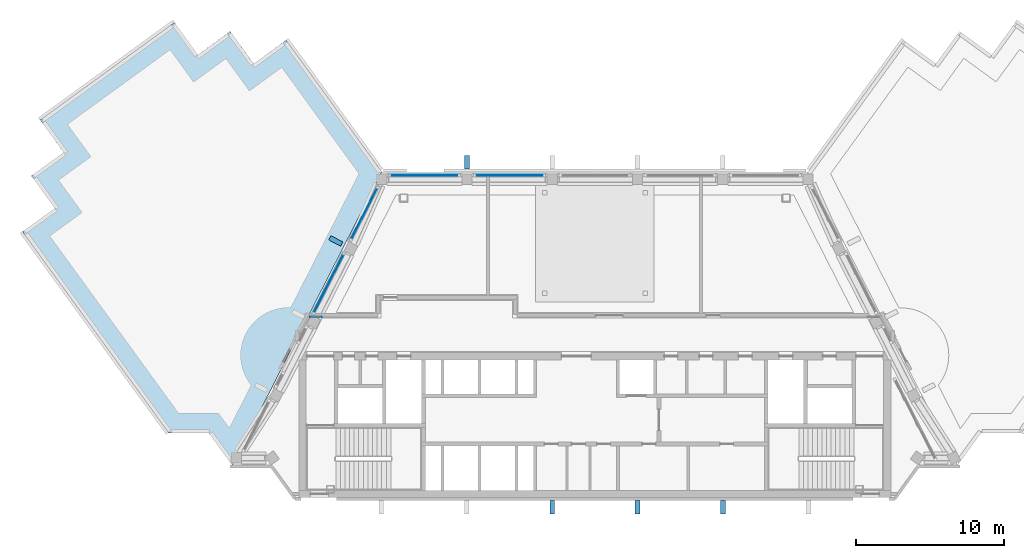
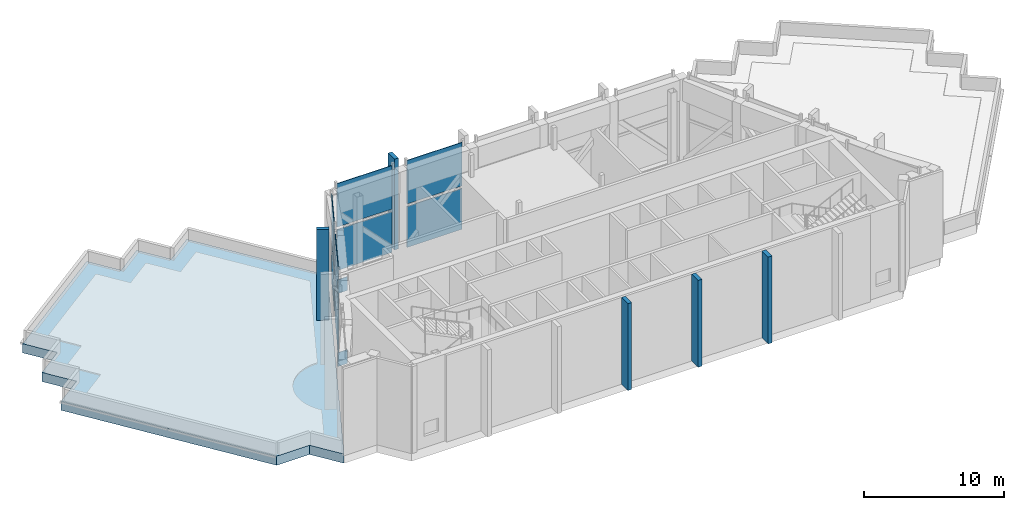
# One storey, part 5 of 14: 15 plates, 1 slab, 4 elements without a shape of their own.
"""IFC4 building model written with IfcOpenShell, lengths in metres."""

from ifc_helpers import new_model, si_unit, direction, frame, origin, origin_2d, place, context, subcontext, project, spatial, polyline, rectangle, outline, extrude, material, layer, layer_set, type_object, element, aggregate, save


model = new_model("IFC4")

# Units and contexts
model_context = context("Model", 3, precision=1e-05, world=origin(), true_north=direction((0.0, 1.0)))
body_context = subcontext(model_context, "Body", "Model", "MODEL_VIEW")
ifc_project = project(units=[si_unit("LENGTHUNIT", "METRE"), si_unit("AREAUNIT", "SQUARE_METRE"), si_unit("VOLUMEUNIT", "CUBIC_METRE"), si_unit("PLANEANGLEUNIT", "RADIAN"), si_unit("MASSUNIT", "GRAM", prefix="KILO")], contexts=[model_context])

# Site, building, storey
site_placement = place(None, origin())
site = spatial("IfcSite", under=ifc_project, at=site_placement, CompositionType="ELEMENT")
building_placement = place(site_placement, origin())
building = spatial("IfcBuilding", under=site, at=building_placement, Name="Quipu Civic Tower", CompositionType="ELEMENT")
storey_placement = place(building_placement, frame((0.0, 0.0, 355.0)))
storey = spatial("IfcBuildingStorey", under=building, at=storey_placement, Name="L83", CompositionType="ELEMENT", Elevation=355.0)

# Plates
ifc_material_1 = material(Name="Steel ASTM A572 Grade 50 (fy 345 MPa)", Category="steel")
ifc_layer_1 = layer(ifc_material_1, 0.030029296875)
ifc_layer_set_1 = layer_set([ifc_layer_1], Name="Steel ASTM A572 Grade 50 (fy 345 MPa)")
plate_type_1 = type_object("IfcPlateType", Name="Cast in plate BC2", PredefinedType="SHEET", material=ifc_layer_set_1)
plate_1_placement = place(storey_placement, frame((-18.83935546875, 1.199951171875, -0.29638671875), z_axis=(0.0, 0.0, 1.0), x_axis=(1.0, 0.0, 0.0)))
element("IfcPlate", 1, at=plate_1_placement, inside=storey, type_object=plate_type_1, Name="Cast-in plate BC2 L83 074", PredefinedType="SHEET", context=body_context, shape_type="SweptSolid", body=[
    extrude(rectangle(XDim=0.800048828125, YDim=0.030029296875, at=origin_2d()), origin(), (0.0, 0.0, 1.0), 1.199951171875),
])
ifc_material_2 = material(Name="Steel ASTM A572 Grade 50 (fy 345 MPa)", Category="steel")
ifc_layer_2 = layer(ifc_material_2, 0.030029296875)
ifc_layer_set_2 = layer_set([ifc_layer_2], Name="Steel ASTM A572 Grade 50 (fy 345 MPa)")
plate_type_2 = type_object("IfcPlateType", Name="Cast in plate TC2", PredefinedType="SHEET", material=ifc_layer_set_2)
plate_2_placement = place(storey_placement, frame((-18.83935546875, 1.199951171875, 6.0498046875), z_axis=(0.0, 0.0, 1.0), x_axis=(1.0, 0.0, 0.0)))
element("IfcPlate", 2, at=plate_2_placement, inside=storey, type_object=plate_type_2, Name="Cast-in plate TC2 L83 073", PredefinedType="SHEET", context=body_context, shape_type="SweptSolid", body=[
    extrude(rectangle(XDim=0.800048828125, YDim=0.030029296875, at=origin_2d()), origin(), (0.0, 0.0, 1.0), 1.199951171875),
])

# Curtain wall, plates
ifc_material_3 = material(Name="Insulated glass unit", Category="glass")
curtain_wall_type = type_object("IfcCurtainWallType", Name="Damper hall glazing CW7", PredefinedType="NOTDEFINED", material=ifc_material_3)
curtain_wall_1_placement = place(storey_placement, origin())
curtain_wall_1 = element("IfcCurtainWall", 3, at=curtain_wall_1_placement, inside=storey, type_object=curtain_wall_type, Name="Damper hall glazing CW7 L83 run 1a", PredefinedType="NOTDEFINED")
ifc_material_4 = material(Name="Insulated glass unit", Category="glass")
ifc_layer_3 = layer(ifc_material_4, 0.052001953125)
ifc_layer_set_3 = layer_set([ifc_layer_3], Name="Insulated glass unit")
plate_type_3 = type_object("IfcPlateType", Name="Glass panel CW7", PredefinedType="CURTAIN_PANEL", material=ifc_layer_set_3)
plate_3_placement = place(storey_placement, frame((-15.580810546875, 8.1806640625, 0.330078125), z_axis=(0.0, 0.0, 1.0), x_axis=(-0.453996374477, -0.891003530836, 0.0)))
plate_3 = element("IfcPlate", 4, at=plate_3_placement, type_object=plate_type_3, Name="CW7 panel 1.1", PredefinedType="CURTAIN_PANEL", context=body_context, shape_type="SweptSolid", body=[
    extrude(rectangle(XDim=3.77783203125, YDim=0.052001953125, at=origin_2d()), origin(), (0.0, 0.0, 1.0), 3.56005859375),
])
plate_4_placement = place(storey_placement, frame((-15.580810546875, 8.1806640625, 4.10986328125), z_axis=(0.0, 0.0, 1.0), x_axis=(-0.453996374477, -0.891003530836, 0.0)))
plate_4 = element("IfcPlate", 5, at=plate_4_placement, type_object=plate_type_3, Name="CW7 panel 1.2", PredefinedType="CURTAIN_PANEL", context=body_context, shape_type="SweptSolid", body=[
    extrude(rectangle(XDim=3.77783203125, YDim=0.052001953125, at=origin_2d()), origin(), (0.0, 0.0, 1.0), 3.780029296875),
])
aggregate(curtain_wall_1, [plate_3, plate_4])

curtain_wall_2_placement = place(storey_placement, origin())
curtain_wall_2 = element("IfcCurtainWall", 6, at=curtain_wall_2_placement, inside=storey, type_object=curtain_wall_type, Name="Damper hall glazing CW7 L83 run 1b", PredefinedType="NOTDEFINED")
plate_5_placement = place(storey_placement, frame((-17.982177734375, 3.467529296875, 0.330078125), z_axis=(0.0, 0.0, 1.0), x_axis=(-0.453997177076, -0.891003121884, 0.0)))
plate_5 = element("IfcPlate", 7, at=plate_5_placement, type_object=plate_type_3, Name="CW7 panel 1.1", PredefinedType="CURTAIN_PANEL", context=body_context, shape_type="SweptSolid", body=[
    extrude(rectangle(XDim=4.31884765625, YDim=0.052001953125, at=origin_2d()), origin(), (0.0, 0.0, 1.0), 3.56005859375),
])
plate_6_placement = place(storey_placement, frame((-17.982177734375, 3.467529296875, 4.10986328125), z_axis=(0.0, 0.0, 1.0), x_axis=(-0.453997177076, -0.891003121884, 0.0)))
plate_6 = element("IfcPlate", 8, at=plate_6_placement, type_object=plate_type_3, Name="CW7 panel 1.2", PredefinedType="CURTAIN_PANEL", context=body_context, shape_type="SweptSolid", body=[
    extrude(rectangle(XDim=4.31884765625, YDim=0.052001953125, at=origin_2d()), origin(), (0.0, 0.0, 1.0), 3.780029296875),
])
aggregate(curtain_wall_2, [plate_5, plate_6])

curtain_wall_3_placement = place(storey_placement, origin())
curtain_wall_3 = element("IfcCurtainWall", 9, at=curtain_wall_3_placement, inside=storey, type_object=curtain_wall_type, Name="Damper hall glazing CW7 L83 run 15d", PredefinedType="NOTDEFINED")
plate_7_placement = place(storey_placement, frame((-5.758056640625, 10.77587890625, 0.330078125), z_axis=(0.0, 0.0, 1.0), x_axis=(-1.0, 0.0, 0.0)))
plate_7 = element("IfcPlate", 10, at=plate_7_placement, type_object=plate_type_3, Name="CW7 panel 1.1", PredefinedType="CURTAIN_PANEL", context=body_context, shape_type="SweptSolid", body=[
    extrude(rectangle(XDim=4.51708984375, YDim=0.052001953125, at=origin_2d()), origin(), (0.0, 0.0, 1.0), 3.56005859375),
])
plate_8_placement = place(storey_placement, frame((-5.758056640625, 10.77587890625, 4.10986328125), z_axis=(0.0, 0.0, 1.0), x_axis=(-1.0, 0.0, 0.0)))
plate_8 = element("IfcPlate", 11, at=plate_8_placement, type_object=plate_type_3, Name="CW7 panel 1.2", PredefinedType="CURTAIN_PANEL", context=body_context, shape_type="SweptSolid", body=[
    extrude(rectangle(XDim=4.51708984375, YDim=0.052001953125, at=origin_2d()), origin(), (0.0, 0.0, 1.0), 3.780029296875),
])
aggregate(curtain_wall_3, [plate_7, plate_8])

curtain_wall_4_placement = place(storey_placement, origin())
curtain_wall_4 = element("IfcCurtainWall", 12, at=curtain_wall_4_placement, inside=storey, type_object=curtain_wall_type, Name="Damper hall glazing CW7 L83 run 15e", PredefinedType="NOTDEFINED")
plate_9_placement = place(storey_placement, frame((-11.51611328125, 10.77587890625, 0.330078125), z_axis=(0.0, 0.0, 1.0), x_axis=(-1.0, 0.0, 0.0)))
plate_9 = element("IfcPlate", 13, at=plate_9_placement, type_object=plate_type_3, Name="CW7 panel 1.1", PredefinedType="CURTAIN_PANEL", context=body_context, shape_type="SweptSolid", body=[
    extrude(rectangle(XDim=4.51708984375, YDim=0.052001953125, at=origin_2d()), origin(), (0.0, 0.0, 1.0), 3.56005859375),
])
plate_10_placement = place(storey_placement, frame((-11.51611328125, 10.77587890625, 4.10986328125), z_axis=(0.0, 0.0, 1.0), x_axis=(-1.0, 0.0, 0.0)))
plate_10 = element("IfcPlate", 14, at=plate_10_placement, type_object=plate_type_3, Name="CW7 panel 1.2", PredefinedType="CURTAIN_PANEL", context=body_context, shape_type="SweptSolid", body=[
    extrude(rectangle(XDim=4.51708984375, YDim=0.052001953125, at=origin_2d()), origin(), (0.0, 0.0, 1.0), 3.780029296875),
])
aggregate(curtain_wall_4, [plate_9, plate_10])

# Plates
ifc_material_5 = material(Name="Precast concrete C40/50", Category="concrete")
plate_type_4 = type_object("IfcPlateType", Name="Precast fin F3", PredefinedType="SHEET", material=ifc_material_5)
plate_11_placement = place(storey_placement, frame((-17.49853515625, 6.34130859375, 0.10986328125), z_axis=(0.0, 0.0, 1.0), x_axis=(-0.453990376607, -0.891006586928, 0.0)))
element("IfcPlate", 15, at=plate_11_placement, inside=storey, type_object=plate_type_4, Name="Precast fin F3 L83.1.1", PredefinedType="SHEET", context=body_context, shape_type="SweptSolid", body=[
    extrude(rectangle(XDim=0.320068359375, YDim=0.89990234375, at=origin_2d()), origin(), (0.0, 0.0, 1.0), 7.889892578125),
])
for number, where, z_axis, x_axis, name in (
    (16, (-2.885986328125, -11.637939453125, 0.0), (0.0, 0.0, 1.0), (1.0, 0.0, 0.0), "Precast fin F3 L83.7.3"),
    (17, (2.885986328125, -11.637939453125, 0.0), (0.0, 0.0, 1.0), (1.0, 0.0, 0.0), "Precast fin F3 L83.7.4"),
    (18, (8.658935546875, -11.637939453125, 0.0), (0.0, 0.0, 1.0), (1.0, 0.0, 0.0), "Precast fin F3 L83.7.5"),
):
    element("IfcPlate", number, at=place(storey_placement, frame(where, z_axis=z_axis, x_axis=x_axis)), inside=storey, type_object=plate_type_4, Name=name, PredefinedType="SHEET", context=body_context, shape_type="SweptSolid", body=[
        extrude(rectangle(XDim=0.320068359375, YDim=0.89990234375, at=origin_2d()), origin(), (0.0, 0.0, 1.0), 7.550048828125),
    ])
plate_12_placement = place(storey_placement, frame((-8.63671875, 11.64990234375, 0.10986328125), z_axis=(0.0, 0.0, 1.0), x_axis=(-1.0, 0.0, 0.0)))
element("IfcPlate", 19, at=plate_12_placement, inside=storey, type_object=plate_type_4, Name="Precast fin F3 L83.15.4", PredefinedType="SHEET", context=body_context, shape_type="SweptSolid", body=[
    extrude(rectangle(XDim=0.320068359375, YDim=0.89990234375, at=origin_2d()), origin(), (0.0, 0.0, 1.0), 7.889892578125),
])

# Slab
ifc_material_6 = material(Name="Concrete C40/50", Category="concrete")
ifc_layer_4 = layer(ifc_material_6, 0.800048828125)
ifc_layer_set_4 = layer_set([ifc_layer_4], Name="Concrete C40/50")
slab_type = type_object("IfcSlabType", Name="Roof slab 800 C40/50", PredefinedType="ROOF", material=ifc_layer_set_4)
slab_placement = place(storey_placement, frame((0.0, 0.0, -0.800048828125)))
element("IfcSlab", 20, at=slab_placement, inside=storey, type_object=slab_type, Name="Setback roof slab L83", PredefinedType="ROOF", context=body_context, shape_type="SweptSolid", body=[
    extrude(outline(polyline([(-28.780029296875, -6.6298828125), (-38.655029296875, 6.965087890625), (-36.469970703125, 8.550048828125), (-38.06005859375, 10.735107421875), (-35.875, 12.320068359375), (-37.4599609375, 14.5048828125), (-28.39990234375, 21.090087890625), (-26.81494140625, 18.905029296875), (-24.6298828125, 20.4951171875), (-23.0400390625, 18.31005859375), (-20.860107421875, 19.89501953125), (-14.39501953125, 11.0), (-24.489990234375, -8.81494140625), (-26.080078125, -6.6298828125), (-28.780029296875, -6.6298828125)])), origin(), (0.0, 0.0, 1.0), 0.800048828125),
])

save(model, "model.ifc")
